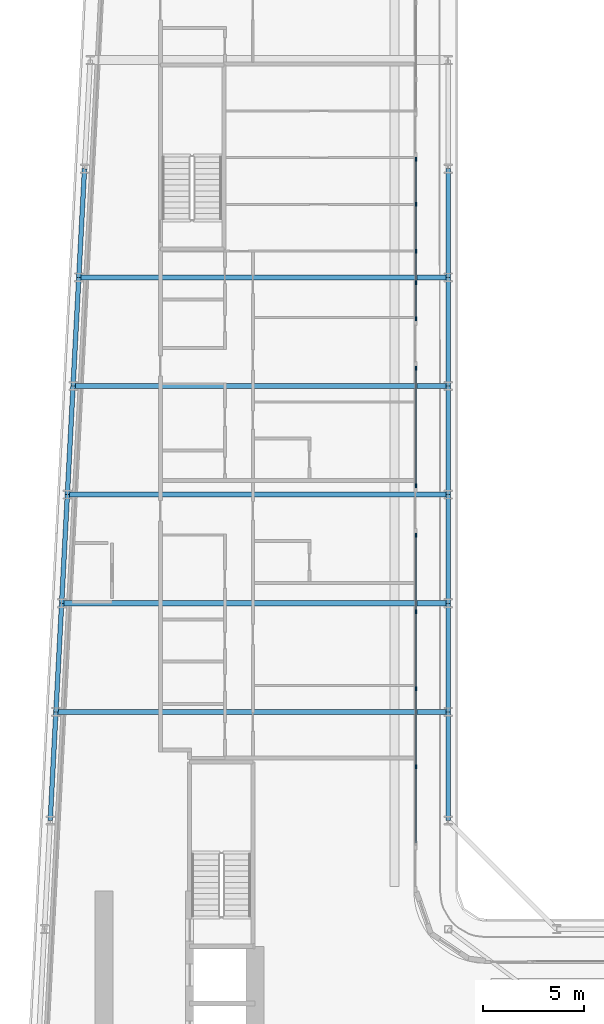
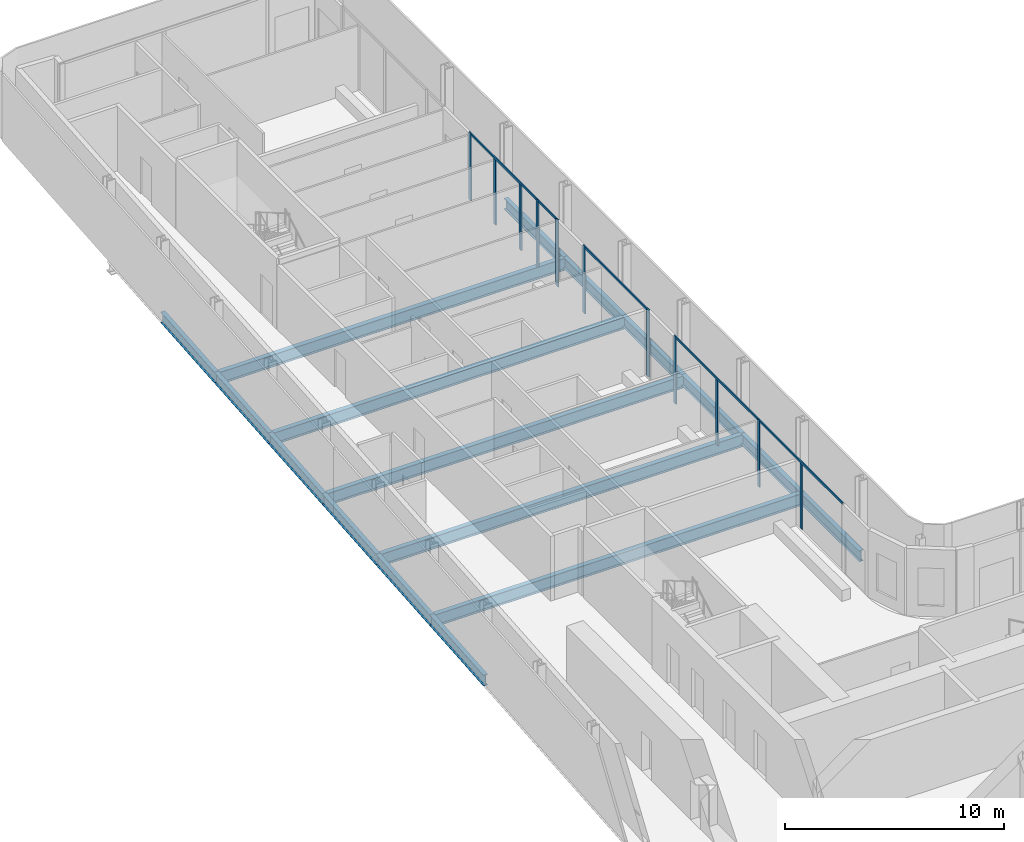
# One storey, part 7 of 28: 17 beams, 16 members, 5 elements without a shape of their own.
"""IFC4 building model written with IfcOpenShell, lengths in metres."""

from ifc_helpers import new_model, si_unit, direction, frame, origin, origin_2d, place, context, subcontext, project, spatial, rectangle, i_section, extrude, material, layer, layer_set, material_profile, profile_set, type_object, element, aggregate, save


model = new_model("IFC4")

# Units and contexts
model_context = context("Model", 3, precision=1e-05, world=origin(), true_north=direction((0.0, 1.0)))
body_context = subcontext(model_context, "Body", "Model", "MODEL_VIEW")
ifc_project = project(units=[si_unit("LENGTHUNIT", "METRE"), si_unit("AREAUNIT", "SQUARE_METRE"), si_unit("VOLUMEUNIT", "CUBIC_METRE"), si_unit("PLANEANGLEUNIT", "RADIAN"), si_unit("MASSUNIT", "GRAM", prefix="KILO")], contexts=[model_context])

# Site, building, storey
site_placement = place(None, origin())
site = spatial("IfcSite", under=ifc_project, at=site_placement, CompositionType="ELEMENT")
building_placement = place(site_placement, origin())
building = spatial("IfcBuilding", under=site, at=building_placement, Name="Kheshtan School and Residences Tower", CompositionType="ELEMENT")
storey_placement = place(building_placement, frame((0.0, 0.0, 140.89990234375)))
storey = spatial("IfcBuildingStorey", under=building, at=storey_placement, Name="L33", CompositionType="ELEMENT", Elevation=140.89990234375)

# Beams
ifc_material_1 = material(Name="Steel ASTM A992 Grade 50", Category="steel")
ifc_material_profile_1 = material_profile(ifc_material_1, i_section(OverallWidth=0.2529296875, OverallDepth=0.677978515625, WebThickness=0.01171875, FlangeThickness=0.016357421875, FilletRadius=0.0146484375, at=origin_2d()), Name="W690x125")
ifc_profile_set_1 = profile_set([ifc_material_profile_1], Name="Steel ASTM A992 Grade 50")
beam_type_1 = type_object("IfcBeamType", Name="Beam FB6 W690x125 ASTM A992 Grade 50", PredefinedType="BEAM", material=ifc_profile_set_1)
beam_1_placement = place(storey_placement, frame((47.60009765625, 78.0, -0.489013671875), z_axis=(-1.0, 0.0, 0.0), x_axis=(0.0, -1.0, 0.0)))
element("IfcBeam", 1, at=beam_1_placement, inside=storey, type_object=beam_type_1, Name="Floor beam C089", PredefinedType="BEAM", context=body_context, shape_type="SweptSolid", body=[
    extrude(i_section(OverallWidth=0.2529296875, OverallDepth=0.677978515625, WebThickness=0.01171875, FlangeThickness=0.016357421875, FilletRadius=0.0146484375, at=origin_2d()), origin(), (0.0, 0.0, 1.0), 18.357177734375),
])
beam_2_placement = place(storey_placement, frame((47.60009765625, 67.199951171875, -0.489013671875), z_axis=(-1.0, 0.0, 0.0), x_axis=(0.0, -1.0, 0.0)))
element("IfcBeam", 2, at=beam_2_placement, inside=storey, type_object=beam_type_1, Name="Floor beam C085", PredefinedType="BEAM", context=body_context, shape_type="SweptSolid", body=[
    extrude(i_section(OverallWidth=0.2529296875, OverallDepth=0.677978515625, WebThickness=0.01171875, FlangeThickness=0.016357421875, FilletRadius=0.0146484375, at=origin_2d()), origin(), (0.0, 0.0, 1.0), 18.926025390625),
])
beam_3_placement = place(storey_placement, frame((47.60009765625, 56.39990234375, -0.489013671875), z_axis=(-1.0, 0.0, 0.0), x_axis=(0.0, -1.0, 0.0)))
element("IfcBeam", 3, at=beam_3_placement, inside=storey, type_object=beam_type_1, Name="Floor beam C081", PredefinedType="BEAM", context=body_context, shape_type="SweptSolid", body=[
    extrude(i_section(OverallWidth=0.2529296875, OverallDepth=0.677978515625, WebThickness=0.01171875, FlangeThickness=0.016357421875, FilletRadius=0.0146484375, at=origin_2d()), origin(), (0.0, 0.0, 1.0), 19.494140625),
])
beam_4_placement = place(storey_placement, frame((28.389892578125, 61.800048828125, -0.489013671875), z_axis=(1.0, 0.0, 0.0), x_axis=(0.0, 1.0, 0.0)))
element("IfcBeam", 4, at=beam_4_placement, inside=storey, type_object=beam_type_1, Name="Floor beam C082", PredefinedType="BEAM", context=body_context, shape_type="SweptSolid", body=[
    extrude(i_section(OverallWidth=0.2529296875, OverallDepth=0.677978515625, WebThickness=0.01171875, FlangeThickness=0.016357421875, FilletRadius=0.0146484375, at=origin_2d()), origin(), (0.0, 0.0, 1.0), 19.210205078125),
])
beam_5_placement = place(storey_placement, frame((28.9580078125, 72.60009765625, -0.489013671875), z_axis=(1.0, 0.0, 0.0), x_axis=(0.0, 1.0, 0.0)))
element("IfcBeam", 5, at=beam_5_placement, inside=storey, type_object=beam_type_1, Name="Floor beam C086", PredefinedType="BEAM", context=body_context, shape_type="SweptSolid", body=[
    extrude(i_section(OverallWidth=0.2529296875, OverallDepth=0.677978515625, WebThickness=0.01171875, FlangeThickness=0.016357421875, FilletRadius=0.0146484375, at=origin_2d()), origin(), (0.0, 0.0, 1.0), 18.64208984375),
])
ifc_material_profile_2 = material_profile(ifc_material_1, i_section(OverallWidth=0.22802734375, OverallDepth=0.60302734375, WebThickness=0.010498046875, FlangeThickness=0.014892578125, FilletRadius=0.013427734375, at=origin_2d()), Name="W610x101")
ifc_profile_set_2 = profile_set([ifc_material_profile_2], Name="Steel ASTM A992 Grade 50")
beam_type_2 = type_object("IfcBeamType", Name="Beam SP2 W610x101 ASTM A992 Grade 50", PredefinedType="BEAM", material=ifc_profile_set_2)
for number, where, z_axis, x_axis, name in (
    (6, (47.60009765625, 83.39990234375, -0.451416015625), (0.0, -1.0, 0.0), (1.0, 0.0, 0.0), "Spandrel beam C091-C089"),
    (7, (47.60009765625, 78.0, -0.451416015625), (0.0, -1.0, 0.0), (1.0, 0.0, 0.0), "Spandrel beam C089-C087"),
):
    element("IfcBeam", number, at=place(storey_placement, frame(where, z_axis=z_axis, x_axis=x_axis)), inside=storey, type_object=beam_type_2, Name=name, PredefinedType="BEAM", context=body_context, shape_type="SweptSolid", body=[
        extrude(i_section(OverallWidth=0.22802734375, OverallDepth=0.60302734375, WebThickness=0.010498046875, FlangeThickness=0.014892578125, FilletRadius=0.013427734375, at=origin_2d()), origin(), (0.0, 0.0, 1.0), 5.39990234375),
    ])
beam_6_placement = place(storey_placement, frame((47.60009765625, 72.60009765625, -0.451416015625), z_axis=(0.0, -1.0, 0.0), x_axis=(1.0, 0.0, 0.0)))
element("IfcBeam", 8, at=beam_6_placement, inside=storey, type_object=beam_type_2, Name="Spandrel beam C087-C085", PredefinedType="BEAM", context=body_context, shape_type="SweptSolid", body=[
    extrude(i_section(OverallWidth=0.22802734375, OverallDepth=0.60302734375, WebThickness=0.010498046875, FlangeThickness=0.014892578125, FilletRadius=0.013427734375, at=origin_2d()), origin(), (0.0, 0.0, 1.0), 5.400146484375),
])
beam_7_placement = place(storey_placement, frame((47.60009765625, 67.199951171875, -0.451416015625), z_axis=(0.0, -1.0, 0.0), x_axis=(1.0, 0.0, 0.0)))
element("IfcBeam", 9, at=beam_7_placement, inside=storey, type_object=beam_type_2, Name="Spandrel beam C085-C083", PredefinedType="BEAM", context=body_context, shape_type="SweptSolid", body=[
    extrude(i_section(OverallWidth=0.22802734375, OverallDepth=0.60302734375, WebThickness=0.010498046875, FlangeThickness=0.014892578125, FilletRadius=0.013427734375, at=origin_2d()), origin(), (0.0, 0.0, 1.0), 5.39990234375),
])
beam_8_placement = place(storey_placement, frame((47.60009765625, 61.800048828125, -0.451416015625), z_axis=(0.0, -1.0, 0.0), x_axis=(1.0, 0.0, 0.0)))
element("IfcBeam", 10, at=beam_8_placement, inside=storey, type_object=beam_type_2, Name="Spandrel beam C083-C081", PredefinedType="BEAM", context=body_context, shape_type="SweptSolid", body=[
    extrude(i_section(OverallWidth=0.22802734375, OverallDepth=0.60302734375, WebThickness=0.010498046875, FlangeThickness=0.014892578125, FilletRadius=0.013427734375, at=origin_2d()), origin(), (0.0, 0.0, 1.0), 5.400146484375),
])
beam_9_placement = place(storey_placement, frame((47.60009765625, 56.39990234375, -0.451416015625), z_axis=(0.0, -1.0, 0.0), x_axis=(1.0, 0.0, 0.0)))
element("IfcBeam", 11, at=beam_9_placement, inside=storey, type_object=beam_type_2, Name="Spandrel beam C081-C079", PredefinedType="BEAM", context=body_context, shape_type="SweptSolid", body=[
    extrude(i_section(OverallWidth=0.22802734375, OverallDepth=0.60302734375, WebThickness=0.010498046875, FlangeThickness=0.014892578125, FilletRadius=0.013427734375, at=origin_2d()), origin(), (0.0, 0.0, 1.0), 5.39990234375),
])
beam_10_placement = place(storey_placement, frame((27.822021484375, 51.0, -0.451416015625), z_axis=(0.05250906864, 0.998620447272, 0.0), x_axis=(-0.998620447272, 0.05250906864, 0.0)))
element("IfcBeam", 12, at=beam_10_placement, inside=storey, type_object=beam_type_2, Name="Spandrel beam C078-C080", PredefinedType="BEAM", context=body_context, shape_type="SweptSolid", body=[
    extrude(i_section(OverallWidth=0.22802734375, OverallDepth=0.60302734375, WebThickness=0.010498046875, FlangeThickness=0.014892578125, FilletRadius=0.013427734375, at=origin_2d()), origin(), (0.0, 0.0, 1.0), 5.407470703125),
])
beam_11_placement = place(storey_placement, frame((28.10595703125, 56.39990234375, -0.451416015625), z_axis=(0.05250670125, 0.998620571751, 0.0), x_axis=(-0.998620571751, 0.05250670125, 0.0)))
element("IfcBeam", 13, at=beam_11_placement, inside=storey, type_object=beam_type_2, Name="Spandrel beam C080-C082", PredefinedType="BEAM", context=body_context, shape_type="SweptSolid", body=[
    extrude(i_section(OverallWidth=0.22802734375, OverallDepth=0.60302734375, WebThickness=0.010498046875, FlangeThickness=0.014892578125, FilletRadius=0.013427734375, at=origin_2d()), origin(), (0.0, 0.0, 1.0), 5.40771484375),
])
beam_12_placement = place(storey_placement, frame((28.389892578125, 61.800048828125, -0.451416015625), z_axis=(0.052554093665, 0.998618078766, 0.0), x_axis=(-0.998618078766, 0.052554093665, 0.0)))
element("IfcBeam", 14, at=beam_12_placement, inside=storey, type_object=beam_type_2, Name="Spandrel beam C082-C084", PredefinedType="BEAM", context=body_context, shape_type="SweptSolid", body=[
    extrude(i_section(OverallWidth=0.22802734375, OverallDepth=0.60302734375, WebThickness=0.010498046875, FlangeThickness=0.014892578125, FilletRadius=0.013427734375, at=origin_2d()), origin(), (0.0, 0.0, 1.0), 5.407470703125),
])
beam_13_placement = place(storey_placement, frame((28.674072265625, 67.199951171875, -0.451416015625), z_axis=(0.05250670125, 0.998620571751, 0.0), x_axis=(-0.998620571751, 0.05250670125, 0.0)))
element("IfcBeam", 15, at=beam_13_placement, inside=storey, type_object=beam_type_2, Name="Spandrel beam C084-C086", PredefinedType="BEAM", context=body_context, shape_type="SweptSolid", body=[
    extrude(i_section(OverallWidth=0.22802734375, OverallDepth=0.60302734375, WebThickness=0.010498046875, FlangeThickness=0.014892578125, FilletRadius=0.013427734375, at=origin_2d()), origin(), (0.0, 0.0, 1.0), 5.40771484375),
])
for number, where, z_axis, x_axis, name in (
    (16, (28.9580078125, 72.60009765625, -0.451416015625), (0.052689166816, 0.998610961136, 0.0), (-0.998610961136, 0.052689166816, 0.0), "Spandrel beam C086-C088"),
    (17, (29.242919921875, 78.0, -0.451416015625), (0.052554093665, 0.998618078766, 0.0), (-0.998618078766, 0.052554093665, 0.0), "Spandrel beam C088-C090"),
):
    element("IfcBeam", number, at=place(storey_placement, frame(where, z_axis=z_axis, x_axis=x_axis)), inside=storey, type_object=beam_type_2, Name=name, PredefinedType="BEAM", context=body_context, shape_type="SweptSolid", body=[
        extrude(i_section(OverallWidth=0.22802734375, OverallDepth=0.60302734375, WebThickness=0.010498046875, FlangeThickness=0.014892578125, FilletRadius=0.013427734375, at=origin_2d()), origin(), (0.0, 0.0, 1.0), 5.407470703125),
    ])

# Curtain wall, members
ifc_material_2 = material(Name="Clear low-e glass in thermally broken aluminium frame", Category="aluminium")
ifc_layer = layer(ifc_material_2, 0.199951171875)
ifc_layer_set = layer_set([ifc_layer], Name="Curtain wall CW-L")
curtain_wall_type = type_object("IfcCurtainWallType", Name="Curtain wall CW-L", PredefinedType="NOTDEFINED", material=ifc_layer_set)
curtain_wall_1_placement = place(storey_placement, origin())
curtain_wall_1 = element("IfcCurtainWall", 18, at=curtain_wall_1_placement, inside=storey, type_object=curtain_wall_type, Name="Curtain wall CWL8b", PredefinedType="NOTDEFINED")
ifc_material_3 = material(Name="Thermally broken aluminium, dark bronze anodised", Category="aluminium")
ifc_material_profile_3 = material_profile(ifc_material_3, rectangle(XDim=0.06005859375, YDim=0.199951171875, at=origin_2d()), Name="CW-L mullion 60x200")
ifc_profile_set_3 = profile_set([ifc_material_profile_3], Name="Thermally broken aluminium, dark bronze anodised")
member_type_1 = type_object("IfcMemberType", Name="CW-L mullion 60x200", PredefinedType="MULLION", material=ifc_profile_set_3)
member_1_placement = place(storey_placement, frame((46.0, 83.8759765625, 0.0), z_axis=(0.0, 0.0, 1.0), x_axis=(1.0, 0.0, 0.0)))
member_1 = element("IfcMember", 19, at=member_1_placement, type_object=member_type_1, Name="CWL8b mullion 1", PredefinedType="MULLION", context=body_context, shape_type="SweptSolid", body=[
    extrude(rectangle(XDim=0.06005859375, YDim=0.199951171875, at=origin_2d()), origin(), (0.0, 0.0, 1.0), 3.75),
])
member_2_placement = place(storey_placement, frame((46.0, 81.625, 0.0), z_axis=(0.0, 0.0, 1.0), x_axis=(1.0, 0.0, 0.0)))
member_2 = element("IfcMember", 20, at=member_2_placement, type_object=member_type_1, Name="CWL8b mullion 2", PredefinedType="MULLION", context=body_context, shape_type="SweptSolid", body=[
    extrude(rectangle(XDim=0.06005859375, YDim=0.199951171875, at=origin_2d()), origin(), (0.0, 0.0, 1.0), 3.630126953125),
])
member_3_placement = place(storey_placement, frame((46.0, 79.300048828125, 0.0), z_axis=(0.0, 0.0, 1.0), x_axis=(1.0, 0.0, 0.0)))
member_3 = element("IfcMember", 21, at=member_3_placement, type_object=member_type_1, Name="CWL8b mullion 3", PredefinedType="MULLION", context=body_context, shape_type="SweptSolid", body=[
    extrude(rectangle(XDim=0.06005859375, YDim=0.199951171875, at=origin_2d()), origin(), (0.0, 0.0, 1.0), 3.630126953125),
])
member_4_placement = place(storey_placement, frame((46.0, 77.741943359375, 0.0), z_axis=(0.0, 0.0, 1.0), x_axis=(1.0, 0.0, 0.0)))
member_4 = element("IfcMember", 22, at=member_4_placement, type_object=member_type_1, Name="CWL8b mullion 4", PredefinedType="MULLION", context=body_context, shape_type="SweptSolid", body=[
    extrude(rectangle(XDim=0.06005859375, YDim=0.199951171875, at=origin_2d()), origin(), (0.0, 0.0, 1.0), 3.75),
])

# Curtain wall, member
curtain_wall_2_placement = place(storey_placement, origin())
curtain_wall_2 = element("IfcCurtainWall", 23, at=curtain_wall_2_placement, inside=storey, type_object=curtain_wall_type, Name="Curtain wall CWL8e", PredefinedType="NOTDEFINED")
member_5_placement = place(storey_placement, frame((46.0, 75.94189453125, 0.0), z_axis=(0.0, 0.0, 1.0), x_axis=(1.0, 0.0, 0.0)))
member_5 = element("IfcMember", 24, at=member_5_placement, type_object=member_type_1, Name="CWL8e mullion 2", PredefinedType="MULLION", context=body_context, shape_type="SweptSolid", body=[
    extrude(rectangle(XDim=0.06005859375, YDim=0.199951171875, at=origin_2d()), origin(), (0.0, 0.0, 1.0), 3.75),
])

# Curtain wall, members
curtain_wall_3_placement = place(storey_placement, origin())
curtain_wall_3 = element("IfcCurtainWall", 25, at=curtain_wall_3_placement, inside=storey, type_object=curtain_wall_type, Name="Curtain wall CWL8f", PredefinedType="NOTDEFINED")
member_6_placement = place(storey_placement, frame((46.0, 73.48193359375, 0.0), z_axis=(0.0, 0.0, 1.0), x_axis=(1.0, 0.0, 0.0)))
member_6 = element("IfcMember", 26, at=member_6_placement, type_object=member_type_1, Name="CWL8f mullion 1", PredefinedType="MULLION", context=body_context, shape_type="SweptSolid", body=[
    extrude(rectangle(XDim=0.06005859375, YDim=0.199951171875, at=origin_2d()), origin(), (0.0, 0.0, 1.0), 3.75),
])
member_7_placement = place(storey_placement, frame((46.0, 67.64794921875, 0.0), z_axis=(0.0, 0.0, 1.0), x_axis=(1.0, 0.0, 0.0)))
member_7 = element("IfcMember", 27, at=member_7_placement, type_object=member_type_1, Name="CWL8f mullion 2", PredefinedType="MULLION", context=body_context, shape_type="SweptSolid", body=[
    extrude(rectangle(XDim=0.06005859375, YDim=0.199951171875, at=origin_2d()), origin(), (0.0, 0.0, 1.0), 3.75),
])

curtain_wall_4_placement = place(storey_placement, origin())
curtain_wall_4 = element("IfcCurtainWall", 28, at=curtain_wall_4_placement, inside=storey, type_object=curtain_wall_type, Name="Curtain wall CWL8", PredefinedType="NOTDEFINED")
member_8_placement = place(storey_placement, frame((46.0, 65.18798828125, 0.0), z_axis=(0.0, 0.0, 1.0), x_axis=(1.0, 0.0, 0.0)))
member_8 = element("IfcMember", 29, at=member_8_placement, type_object=member_type_1, Name="CWL8 mullion 1", PredefinedType="MULLION", context=body_context, shape_type="SweptSolid", body=[
    extrude(rectangle(XDim=0.06005859375, YDim=0.199951171875, at=origin_2d()), origin(), (0.0, 0.0, 1.0), 3.75),
])
member_9_placement = place(storey_placement, frame((46.0, 61.37109375, 0.0), z_axis=(0.0, 0.0, 1.0), x_axis=(1.0, 0.0, 0.0)))
member_9 = element("IfcMember", 30, at=member_9_placement, type_object=member_type_1, Name="CWL8 mullion 2", PredefinedType="MULLION", context=body_context, shape_type="SweptSolid", body=[
    extrude(rectangle(XDim=0.06005859375, YDim=0.199951171875, at=origin_2d()), origin(), (0.0, 0.0, 1.0), 3.630126953125),
])
member_10_placement = place(storey_placement, frame((46.0, 57.553955078125, 0.0), z_axis=(0.0, 0.0, 1.0), x_axis=(1.0, 0.0, 0.0)))
member_10 = element("IfcMember", 31, at=member_10_placement, type_object=member_type_1, Name="CWL8 mullion 3", PredefinedType="MULLION", context=body_context, shape_type="SweptSolid", body=[
    extrude(rectangle(XDim=0.06005859375, YDim=0.199951171875, at=origin_2d()), origin(), (0.0, 0.0, 1.0), 3.75),
])

# Curtain wall, member
curtain_wall_5_placement = place(storey_placement, origin())
curtain_wall_5 = element("IfcCurtainWall", 32, at=curtain_wall_5_placement, inside=storey, type_object=curtain_wall_type, Name="Curtain wall CWL8", PredefinedType="NOTDEFINED")
member_11_placement = place(storey_placement, frame((46.0, 53.677001953125, 0.0), z_axis=(0.0, 0.0, 1.0), x_axis=(1.0, 0.0, 0.0)))
member_11 = element("IfcMember", 33, at=member_11_placement, type_object=member_type_1, Name="CWL8 mullion 2", PredefinedType="MULLION", context=body_context, shape_type="SweptSolid", body=[
    extrude(rectangle(XDim=0.06005859375, YDim=0.199951171875, at=origin_2d()), origin(), (0.0, 0.0, 1.0), 3.630126953125),
])

# Member
ifc_material_profile_4 = material_profile(ifc_material_3, rectangle(XDim=0.06005859375, YDim=0.1201171875, at=origin_2d()), Name="CW-L transom 60x120")
ifc_profile_set_4 = profile_set([ifc_material_profile_4], Name="Thermally broken aluminium, dark bronze anodised")
member_type_2 = type_object("IfcMemberType", Name="CW-L transom 60x120", PredefinedType="USERDEFINED", material=ifc_profile_set_4)
member_12_placement = place(storey_placement, frame((46.0, 83.845947265625, 3.690185546875), z_axis=(0.0, -1.0, 0.0), x_axis=(1.0, 0.0, 0.0)))
member_12 = element("IfcMember", 34, at=member_12_placement, type_object=member_type_2, Name="CWL8b transom 1", ObjectType="TRANSOM", PredefinedType="USERDEFINED", context=body_context, shape_type="SweptSolid", body=[
    extrude(rectangle(XDim=0.06005859375, YDim=0.1201171875, at=origin_2d()), origin(), (0.0, 0.0, 1.0), 6.073974609375),
])

aggregate(curtain_wall_1, [member_1, member_2, member_3, member_4, member_12])

member_13_placement = place(storey_placement, frame((46.0, 77.7119140625, 3.690185546875), z_axis=(0.0, -1.0, 0.0), x_axis=(1.0, 0.0, 0.0)))
member_13 = element("IfcMember", 35, at=member_13_placement, type_object=member_type_2, Name="CWL8e transom 1", ObjectType="TRANSOM", PredefinedType="USERDEFINED", context=body_context, shape_type="SweptSolid", body=[
    extrude(rectangle(XDim=0.06005859375, YDim=0.1201171875, at=origin_2d()), origin(), (0.0, 0.0, 1.0), 1.739990234375),
])

aggregate(curtain_wall_2, [member_5, member_13])

member_14_placement = place(storey_placement, frame((46.0, 73.451904296875, 3.690185546875), z_axis=(0.0, -1.0, 0.0), x_axis=(1.0, 0.0, 0.0)))
member_14 = element("IfcMember", 36, at=member_14_placement, type_object=member_type_2, Name="CWL8f transom 1", ObjectType="TRANSOM", PredefinedType="USERDEFINED", context=body_context, shape_type="SweptSolid", body=[
    extrude(rectangle(XDim=0.06005859375, YDim=0.1201171875, at=origin_2d()), origin(), (0.0, 0.0, 1.0), 5.77392578125),
])

aggregate(curtain_wall_3, [member_6, member_7, member_14])

member_15_placement = place(storey_placement, frame((46.0, 65.157958984375, 3.690185546875), z_axis=(0.0, -1.0, 0.0), x_axis=(1.0, 0.0, 0.0)))
member_15 = element("IfcMember", 37, at=member_15_placement, type_object=member_type_2, Name="CWL8 transom 1", ObjectType="TRANSOM", PredefinedType="USERDEFINED", context=body_context, shape_type="SweptSolid", body=[
    extrude(rectangle(XDim=0.06005859375, YDim=0.1201171875, at=origin_2d()), origin(), (0.0, 0.0, 1.0), 7.573974609375),
])

aggregate(curtain_wall_4, [member_8, member_9, member_10, member_15])

member_16_placement = place(storey_placement, frame((46.0, 57.52392578125, 3.690185546875), z_axis=(0.0, -1.0, 0.0), x_axis=(1.0, 0.0, 0.0)))
member_16 = element("IfcMember", 38, at=member_16_placement, type_object=member_type_2, Name="CWL8 transom 1", ObjectType="TRANSOM", PredefinedType="USERDEFINED", context=body_context, shape_type="SweptSolid", body=[
    extrude(rectangle(XDim=0.06005859375, YDim=0.1201171875, at=origin_2d()), origin(), (0.0, 0.0, 1.0), 7.634033203125),
])

aggregate(curtain_wall_5, [member_11, member_16])

save(model, "model.ifc")
